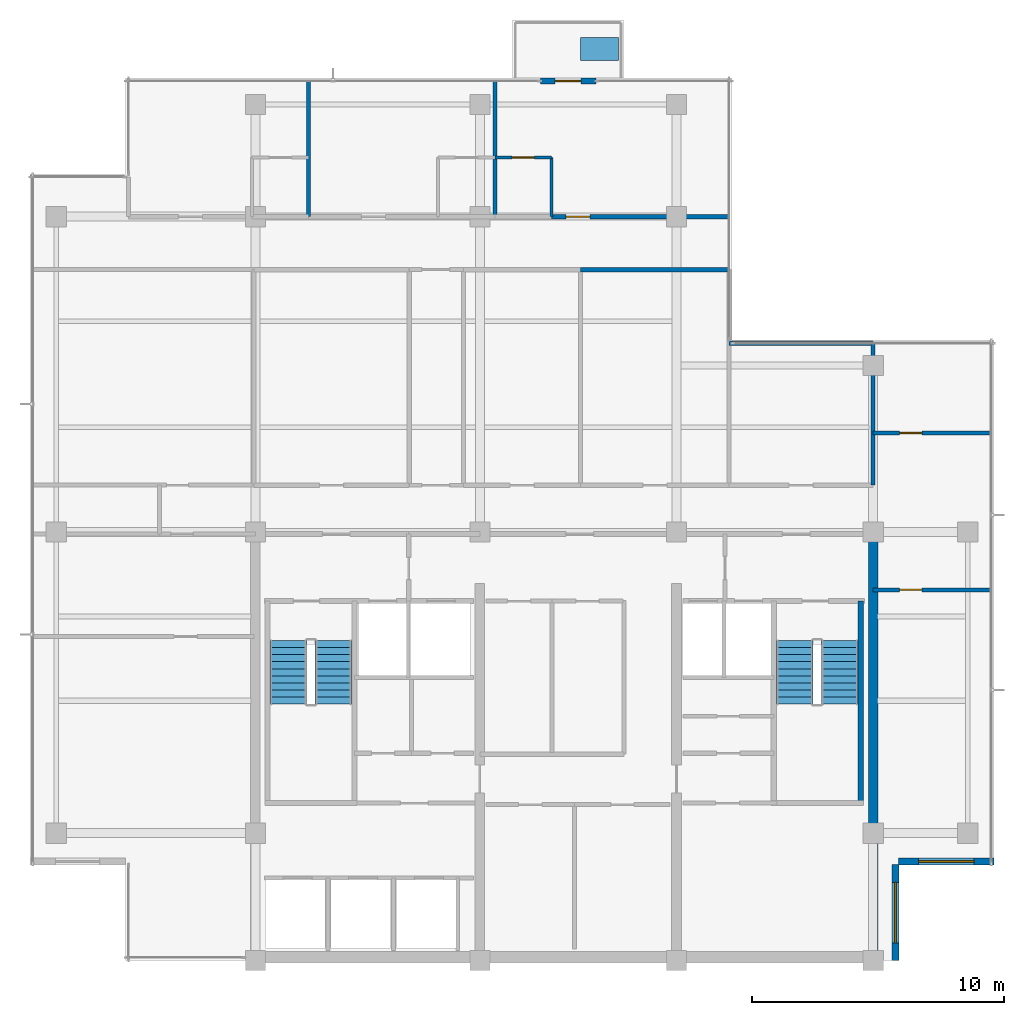
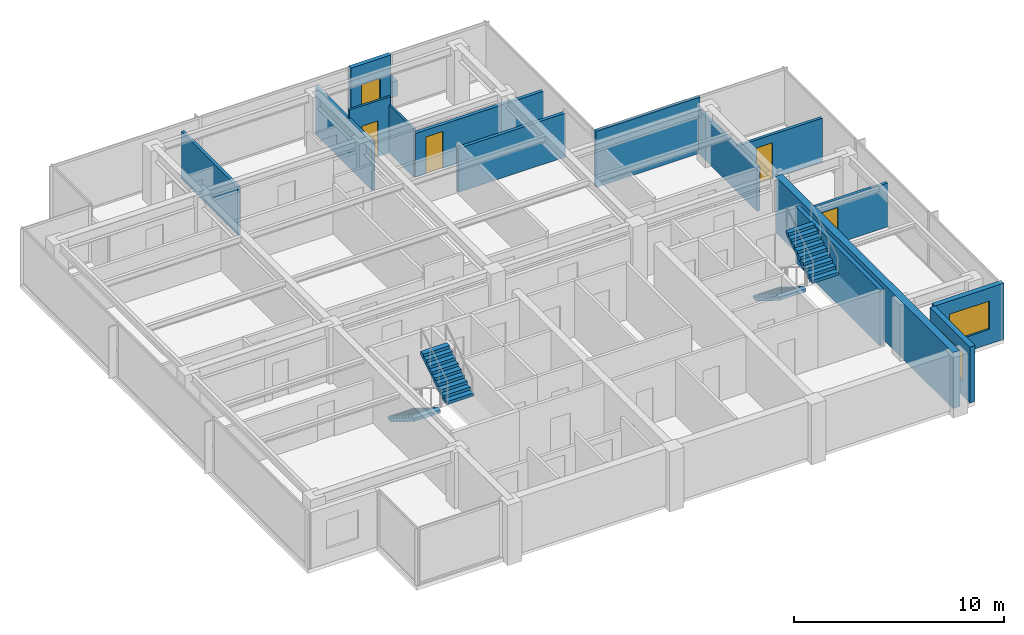
# One storey, part 8 of 11: 15 walls, 5 doors, 4 stair flights, 2 windows, 1 discrete accessory, 7 openings, 2 elements without a shape of their own.
"""IFC4 building model written with IfcOpenShell, lengths in metres."""

from ifc_helpers import new_model, si_unit, direction, frame, frame_2d, origin, place, context, subcontext, project, spatial, polyline, rectangle, outline, extrude, material, layer, layer_set, type_object, element, fill, aggregate, save


model = new_model("IFC4")

# Units and contexts
model_context = context("Model", 3, precision=1e-05, world=origin(), true_north=direction((0.0, 1.0)))
body_context = subcontext(model_context, "Body", "Model", "MODEL_VIEW")
ifc_project = project(units=[si_unit("LENGTHUNIT", "METRE"), si_unit("AREAUNIT", "SQUARE_METRE"), si_unit("VOLUMEUNIT", "CUBIC_METRE"), si_unit("PLANEANGLEUNIT", "RADIAN"), si_unit("MASSUNIT", "GRAM", prefix="KILO")], contexts=[model_context])

# Site, building, storey
site_placement = place(None, origin())
site = spatial("IfcSite", under=ifc_project, at=site_placement, CompositionType="ELEMENT")
building_placement = place(site_placement, origin())
building = spatial("IfcBuilding", under=site, at=building_placement, Name="Qalmaran Belvedere Hotel", CompositionType="ELEMENT")
storey_placement = place(building_placement, frame((0.0, 0.0, 270.39990234375)))
storey = spatial("IfcBuildingStorey", under=building, at=storey_placement, Name="L70", CompositionType="ELEMENT", Elevation=270.39990234375)

# Wall, opening, door
ifc_material_1 = material(Name="Anodised Bronze Cladding")
ifc_layer_1 = layer(ifc_material_1, 0.22509765625, Name="Anodised Bronze Cladding")
ifc_layer_set_1 = layer_set([ifc_layer_1], Name="Anodised Bronze Cladding")
wall_type_1 = type_object("IfcWallType", Name="WL-BAL-PORT-225", PredefinedType="SOLIDWALL", material=ifc_layer_set_1)
wall_1_placement = place(storey_placement, frame((31.60009765625, 38.3798828125, 0.0), z_axis=(0.0, 0.0, 1.0), x_axis=(1.0, 0.0, 0.0)))
wall_1 = element("IfcWall", 1, at=wall_1_placement, inside=storey, type_object=wall_type_1, Name="L70 Tree Balcony Door Portal", PredefinedType="SOLIDWALL", context=body_context, shape_type="SweptSolid", body=[
    extrude(rectangle(XDim=2.199951171875, YDim=0.22509765625, at=frame_2d((1.10009765625, 0.0))), origin(), (0.0, 0.0, 1.0), 3.260009765625),
])
opening_1_placement = place(wall_1_placement, frame((0.590087890625, 0.0, 0.0)))
opening_1 = element("IfcOpeningElement", 2, at=opening_1_placement, cuts=wall_1, Name="Opening BL-102", PredefinedType="OPENING", context=body_context, shape_type="SweptSolid", body=[
    extrude(rectangle(XDim=1.02001953125, YDim=2.10009765625, at=frame_2d((0.510009765625, 1.050048828125))), frame((0.0, 0.12255859375, 0.0), z_axis=(0.0, -1.0, 0.0), x_axis=(1.0, 0.0, 0.0)), (0.0, 0.0, 1.0), 0.2451171875),
])
ifc_material_2 = material(Name="Anodised Bronze Aluminium", Category="aluminium")
door_type_1 = type_object("IfcDoorType", Name="DR-BAL-1020X2100", OperationType="NOTDEFINED", PredefinedType="DOOR", material=ifc_material_2)
door_1_placement = place(opening_1_placement, origin())
door_1 = element("IfcDoor", 3, at=door_1_placement, inside=storey, type_object=door_type_1, Name="L70 Planted Tree Balcony Door", OperationType="SINGLE_SWING_LEFT", OverallHeight=2.10009765625, OverallWidth=1.02001953125, PredefinedType="DOOR", context=body_context, shape_type="SweptSolid", body=[
    extrude(rectangle(XDim=1.02001953125, YDim=2.10009765625, at=frame_2d((0.510009765625, 1.050048828125))), frame((0.0, 0.02490234375, 0.0), z_axis=(0.0, -1.0, 0.0), x_axis=(1.0, 0.0, 0.0)), (0.0, 0.0, 1.0), 0.050048828125),
])
fill(opening_1, door_1)

# Wall
ifc_material_3 = material(Name="Concrete C50/60", Category="concrete")
ifc_layer_2 = layer(ifc_material_3, 0.3798828125, Name="Concrete C50/60")
ifc_layer_set_2 = layer_set([ifc_layer_2], Name="Concrete C50/60")
wall_type_2 = type_object("IfcWallType", Name="WL-CORE-380-C50", PredefinedType="SHEAR", material=ifc_layer_set_2)
wall_2_placement = place(storey_placement, frame((44.800048828125, 3.5, 0.0), z_axis=(0.0, 0.0, 1.0), x_axis=(0.0, 1.0, 0.0)))
element("IfcWall", 4, at=wall_2_placement, inside=storey, type_object=wall_type_2, Name="L70 East Core Shear Wall", PredefinedType="SHEAR", context=body_context, shape_type="SweptSolid", body=[
    extrude(rectangle(XDim=16.89990234375, YDim=0.3798828125, at=frame_2d((8.449951171875, 0.0))), origin(), (0.0, 0.0, 1.0), 3.260009765625),
])

# Wall, opening, window
ifc_layer_3 = layer(ifc_material_1, 0.280029296875, Name="Anodised Bronze Cladding")
ifc_layer_set_3 = layer_set([ifc_layer_3], Name="Anodised Bronze Cladding")
wall_type_3 = type_object("IfcWallType", Name="WL-EXT-BRNZ-280", PredefinedType="SOLIDWALL", material=ifc_layer_set_3)
wall_3_placement = place(storey_placement, frame((45.679931640625, 3.5, 0.0), z_axis=(0.0, 0.0, 1.0), x_axis=(0.0, 1.0, 0.0)))
wall_3 = element("IfcWall", 5, at=wall_3_placement, inside=storey, type_object=wall_type_3, Name="L70 Corner Notch Wall 1", PredefinedType="SOLIDWALL", context=body_context, shape_type="SweptSolid", body=[
    extrude(rectangle(XDim=3.800048828125, YDim=0.280029296875, at=frame_2d((1.89990234375, 0.0))), origin(), (0.0, 0.0, 1.0), 3.260009765625),
])
opening_2_placement = place(wall_3_placement, frame((0.699951171875, 0.0, 0.85009765625)))
opening_2 = element("IfcOpeningElement", 6, at=opening_2_placement, cuts=wall_3, Name="Opening W-N24", PredefinedType="OPENING", context=body_context, shape_type="SweptSolid", body=[
    extrude(rectangle(XDim=2.39990234375, YDim=1.64990234375, at=frame_2d((1.199951171875, 0.824951171875))), frame((0.0, 0.14990234375, 0.0), z_axis=(0.0, -1.0, 0.0), x_axis=(1.0, 0.0, 0.0)), (0.0, 0.0, 1.0), 0.300048828125),
])
ifc_material_4 = material(Name="Solar-Control Double Glazing", Category="glass")
window_type_1 = type_object("IfcWindowType", Name="WN-NTC-2400X1650", PartitioningType="SINGLE_PANEL", PredefinedType="WINDOW", material=ifc_material_4)
window_1_placement = place(opening_2_placement, origin())
window_1 = element("IfcWindow", 7, at=window_1_placement, inside=storey, type_object=window_type_1, Name="L70 Corner Notch Window 1", OverallHeight=1.64990234375, OverallWidth=2.39990234375, PartitioningType="SINGLE_PANEL", PredefinedType="WINDOW", context=body_context, shape_type="SweptSolid", body=[
    extrude(rectangle(XDim=2.39990234375, YDim=1.64990234375, at=frame_2d((1.199951171875, 0.824951171875))), frame((0.0, 0.030029296875, 0.0), z_axis=(0.0, -1.0, 0.0), x_axis=(1.0, 0.0, 0.0)), (0.0, 0.0, 1.0), 0.06005859375),
])
fill(opening_2, window_1)

wall_4_placement = place(storey_placement, frame((45.800048828125, 7.419921875, 0.0), z_axis=(0.0, 0.0, 1.0), x_axis=(1.0, 0.0, 0.0)))
wall_4 = element("IfcWall", 8, at=wall_4_placement, inside=storey, type_object=wall_type_3, Name="L70 Corner Notch Wall 2", PredefinedType="SOLIDWALL", context=body_context, shape_type="SweptSolid", body=[
    extrude(rectangle(XDim=3.800048828125, YDim=0.280029296875, at=frame_2d((1.89990234375, 0.0))), origin(), (0.0, 0.0, 1.0), 3.260009765625),
])
opening_3_placement = place(wall_4_placement, frame((0.800048828125, 0.0, 0.85009765625)))
opening_3 = element("IfcOpeningElement", 9, at=opening_3_placement, cuts=wall_4, Name="Opening W-N22", PredefinedType="OPENING", context=body_context, shape_type="SweptSolid", body=[
    extrude(rectangle(XDim=2.199951171875, YDim=1.64990234375, at=frame_2d((1.10009765625, 0.824951171875))), frame((0.0, 0.14990234375, 0.0), z_axis=(0.0, -1.0, 0.0), x_axis=(1.0, 0.0, 0.0)), (0.0, 0.0, 1.0), 0.300048828125),
])
window_type_2 = type_object("IfcWindowType", Name="WN-NTC-2200X1650", PartitioningType="SINGLE_PANEL", PredefinedType="WINDOW", material=ifc_material_4)
window_2_placement = place(opening_3_placement, origin())
window_2 = element("IfcWindow", 10, at=window_2_placement, inside=storey, type_object=window_type_2, Name="L70 Corner Notch Window 2", OverallHeight=1.64990234375, OverallWidth=2.199951171875, PartitioningType="SINGLE_PANEL", PredefinedType="WINDOW", context=body_context, shape_type="SweptSolid", body=[
    extrude(rectangle(XDim=2.199951171875, YDim=1.64990234375, at=frame_2d((1.10009765625, 0.824951171875))), frame((0.0, 0.030029296875, 0.0), z_axis=(0.0, -1.0, 0.0), x_axis=(1.0, 0.0, 0.0)), (0.0, 0.0, 1.0), 0.06005859375),
])
fill(opening_3, window_2)

# Wall, opening, door
ifc_material_5 = material(Name="Moisture-Resistant Gypsum")
ifc_layer_4 = layer(ifc_material_5, 0.1201171875, Name="Moisture-Resistant Gypsum")
ifc_layer_set_4 = layer_set([ifc_layer_4], Name="Moisture-Resistant Gypsum")
wall_type_4 = type_object("IfcWallType", Name="WL-INT-120-BATH", PredefinedType="PARTITIONING", material=ifc_layer_set_4)
wall_5_placement = place(storey_placement, frame((29.794189453125, 35.35009765625, 0.0), z_axis=(0.0, 0.0, 1.0), x_axis=(1.0, 0.0, 0.0)))
wall_5 = element("IfcWall", 11, at=wall_5_placement, inside=storey, type_object=wall_type_4, Name="L70 Partition WL-L70-NBN02", PredefinedType="PARTITIONING", context=body_context, shape_type="SweptSolid", body=[
    extrude(rectangle(XDim=2.25, YDim=0.1201171875, at=frame_2d((1.125, 0.0))), origin(), (0.0, 0.0, 1.0), 3.260009765625),
])
opening_4_placement = place(wall_5_placement, frame((1.56494140625, 0.0, 0.0), z_axis=(0.0, 0.0, 1.0), x_axis=(-1.0, 0.0, 0.0)))
opening_4 = element("IfcOpeningElement", 12, at=opening_4_placement, cuts=wall_5, Name="Opening D-BATH", PredefinedType="OPENING", context=body_context, shape_type="SweptSolid", body=[
    extrude(rectangle(XDim=0.8798828125, YDim=2.080078125, at=frame_2d((0.43994140625, 1.0400390625))), frame((0.0, 0.070068359375, 0.0), z_axis=(0.0, -1.0, 0.0), x_axis=(1.0, 0.0, 0.0)), (0.0, 0.0, 1.0), 0.14013671875),
])
ifc_material_6 = material(Name="Engineered Oak Veneer")
door_type_2 = type_object("IfcDoorType", Name="DR-INT-BATH-880X2080", OperationType="NOTDEFINED", PredefinedType="DOOR", material=ifc_material_6)
door_2_placement = place(opening_4_placement, origin())
door_2 = element("IfcDoor", 13, at=door_2_placement, inside=storey, type_object=door_type_2, Name="L70 Ensuite Bathroom Door N03", OperationType="SINGLE_SWING_RIGHT", OverallHeight=2.080078125, OverallWidth=0.8798828125, PredefinedType="DOOR", context=body_context, shape_type="SweptSolid", body=[
    extrude(rectangle(XDim=0.8798828125, YDim=2.080078125, at=frame_2d((0.43994140625, 1.0400390625))), frame((0.0, 0.02490234375, 0.0), z_axis=(0.0, -1.0, 0.0), x_axis=(1.0, 0.0, 0.0)), (0.0, 0.0, 1.0), 0.050048828125),
])
fill(opening_4, door_2)

# Wall
wall_6_placement = place(storey_placement, frame((32.044189453125, 33.0, 0.0), z_axis=(0.0, 0.0, 1.0), x_axis=(0.0, 1.0, 0.0)))
element("IfcWall", 14, at=wall_6_placement, inside=storey, type_object=wall_type_4, Name="L70 Partition WL-L70-NBS02", PredefinedType="PARTITIONING", context=body_context, shape_type="SweptSolid", body=[
    extrude(rectangle(XDim=2.35009765625, YDim=0.1201171875, at=frame_2d((1.175048828125, 0.0))), origin(), (0.0, 0.0, 1.0), 2.781982421875),
])

# Wall, opening, door
ifc_material_7 = material(Name="Gypsum Stud Partition")
ifc_layer_5 = layer(ifc_material_7, 0.159912109375, Name="Gypsum Stud Partition")
ifc_layer_set_5 = layer_set([ifc_layer_5], Name="Gypsum Stud Partition")
wall_type_5 = type_object("IfcWallType", Name="WL-INT-160-EI60", PredefinedType="PARTITIONING", material=ifc_layer_set_5)
wall_7_placement = place(storey_placement, frame((44.800048828125, 18.199951171875, 0.0), z_axis=(0.0, 0.0, 1.0), x_axis=(1.0, 0.0, 0.0)))
wall_7 = element("IfcWall", 15, at=wall_7_placement, inside=storey, type_object=wall_type_5, Name="L70 Partition WL-L70-C4EES", PredefinedType="PARTITIONING", context=body_context, shape_type="SweptSolid", body=[
    extrude(rectangle(XDim=4.679931640625, YDim=0.159912109375, at=frame_2d((2.33984375, 0.0))), origin(), (0.0, 0.0, 1.0), 2.550048828125),
])
opening_5_placement = place(wall_7_placement, frame((1.929931640625, 0.0, 0.0), z_axis=(0.0, 0.0, 1.0), x_axis=(-1.0, 0.0, 0.0)))
opening_5 = element("IfcOpeningElement", 16, at=opening_5_placement, cuts=wall_7, Name="Opening FD60B", PredefinedType="OPENING", context=body_context, shape_type="SweptSolid", body=[
    extrude(rectangle(XDim=0.8798828125, YDim=2.080078125, at=frame_2d((0.43994140625, 1.0400390625))), frame((0.0, 0.08984375, 0.0), z_axis=(0.0, -1.0, 0.0), x_axis=(1.0, 0.0, 0.0)), (0.0, 0.0, 1.0), 0.179931640625),
])
ifc_material_8 = material(Name="Steel S355JR", Category="steel")
door_type_3 = type_object("IfcDoorType", Name="DR-FD60B-880X2080", OperationType="NOTDEFINED", PredefinedType="DOOR", material=ifc_material_8)
door_3_placement = place(opening_5_placement, origin())
door_3 = element("IfcDoor", 17, at=door_3_placement, inside=storey, type_object=door_type_3, Name="L70 East Reading Door", OperationType="SINGLE_SWING_RIGHT", OverallHeight=2.080078125, OverallWidth=0.8798828125, PredefinedType="DOOR", context=body_context, shape_type="SweptSolid", body=[
    extrude(rectangle(XDim=0.8798828125, YDim=2.080078125, at=frame_2d((0.43994140625, 1.0400390625))), frame((0.0, 0.02490234375, 0.0), z_axis=(0.0, -1.0, 0.0), x_axis=(1.0, 0.0, 0.0)), (0.0, 0.0, 1.0), 0.050048828125),
])
fill(opening_5, door_3)

wall_8_placement = place(storey_placement, frame((44.800048828125, 24.419921875, 0.0), z_axis=(0.0, 0.0, 1.0), x_axis=(1.0, 0.0, 0.0)))
wall_8 = element("IfcWall", 18, at=wall_8_placement, inside=storey, type_object=wall_type_5, Name="L70 Partition WL-L70-C4EEN", PredefinedType="PARTITIONING", context=body_context, shape_type="SweptSolid", body=[
    extrude(rectangle(XDim=4.679931640625, YDim=0.159912109375, at=frame_2d((2.33984375, 0.0))), origin(), (0.0, 0.0, 1.0), 2.550048828125),
])
opening_6_placement = place(wall_8_placement, frame((1.050048828125, 0.0, 0.0)))
opening_6 = element("IfcOpeningElement", 19, at=opening_6_placement, cuts=wall_8, Name="Opening FD60B", PredefinedType="OPENING", context=body_context, shape_type="SweptSolid", body=[
    extrude(rectangle(XDim=0.8798828125, YDim=2.080078125, at=frame_2d((0.43994140625, 1.0400390625))), frame((0.0, 0.08984375, 0.0), z_axis=(0.0, -1.0, 0.0), x_axis=(1.0, 0.0, 0.0)), (0.0, 0.0, 1.0), 0.179931640625),
])
door_4_placement = place(opening_6_placement, origin())
door_4 = element("IfcDoor", 20, at=door_4_placement, inside=storey, type_object=door_type_3, Name="L70 East Study Door", OperationType="SINGLE_SWING_LEFT", OverallHeight=2.080078125, OverallWidth=0.8798828125, PredefinedType="DOOR", context=body_context, shape_type="SweptSolid", body=[
    extrude(rectangle(XDim=0.8798828125, YDim=2.080078125, at=frame_2d((0.43994140625, 1.0400390625))), frame((0.0, 0.02490234375, 0.0), z_axis=(0.0, -1.0, 0.0), x_axis=(1.0, 0.0, 0.0)), (0.0, 0.0, 1.0), 0.050048828125),
])
fill(opening_6, door_4)

# Walls
wall_9_placement = place(storey_placement, frame((44.800048828125, 22.35009765625, 0.0), z_axis=(0.0, 0.0, 1.0), x_axis=(0.0, 1.0, 0.0)))
element("IfcWall", 21, at=wall_9_placement, inside=storey, type_object=wall_type_5, Name="L70 Partition WL-L70-C4MFVR1", PredefinedType="PARTITIONING", context=body_context, shape_type="SweptSolid", body=[
    extrude(rectangle(XDim=5.6298828125, YDim=0.159912109375, at=frame_2d((2.81494140625, 0.0))), origin(), (0.0, 0.0, 1.0), 2.550048828125),
])
for number, where, z_axis, x_axis, name in (
    (22, (22.4130859375, 33.0, 0.0), (0.0, 0.0, 1.0), (0.0, 1.0, 0.0), "L70 Partition WL-L70-NUR00"),
    (23, (29.794189453125, 33.0, 0.0), (0.0, 0.0, 1.0), (0.0, 1.0, 0.0), "L70 Partition WL-L70-NUR01"),
):
    element("IfcWall", number, at=place(storey_placement, frame(where, z_axis=z_axis, x_axis=x_axis)), inside=storey, type_object=wall_type_5, Name=name, PredefinedType="PARTITIONING", context=body_context, shape_type="SweptSolid", body=[
        extrude(rectangle(XDim=5.3798828125, YDim=0.159912109375, at=frame_2d((2.68994140625, 0.0))), origin(), (0.0, 0.0, 1.0), 2.781982421875),
    ])
ifc_layer_6 = layer(ifc_material_7, 0.179931640625, Name="Gypsum Stud Partition")
ifc_layer_set_6 = layer_set([ifc_layer_6], Name="Gypsum Stud Partition")
wall_type_6 = type_object("IfcWallType", Name="WL-INT-180-EI60", PredefinedType="PARTITIONING", material=ifc_layer_set_6)
wall_10_placement = place(storey_placement, frame((33.199951171875, 30.89990234375, 0.0), z_axis=(0.0, 0.0, 1.0), x_axis=(1.0, 0.0, 0.0)))
element("IfcWall", 24, at=wall_10_placement, inside=storey, type_object=wall_type_6, Name="L70 Partition WL-L70-C4MEO2", PredefinedType="PARTITIONING", context=body_context, shape_type="SweptSolid", body=[
    extrude(rectangle(XDim=5.880126953125, YDim=0.179931640625, at=frame_2d((2.93994140625, 0.0))), origin(), (0.0, 0.0, 1.0), 2.550048828125),
])
wall_11_placement = place(storey_placement, frame((39.080078125, 27.97998046875, 0.0), z_axis=(0.0, 0.0, 1.0), x_axis=(1.0, 0.0, 0.0)))
element("IfcWall", 25, at=wall_11_placement, inside=storey, type_object=wall_type_6, Name="L70 Partition WL-L70-C4MFO1", PredefinedType="PARTITIONING", context=body_context, shape_type="SweptSolid", body=[
    extrude(rectangle(XDim=5.719970703125, YDim=0.179931640625, at=frame_2d((2.85986328125, 0.0))), origin(), (0.0, 0.0, 1.0), 3.260009765625),
])

# Wall, opening, door
wall_12_placement = place(storey_placement, frame((32.044189453125, 33.0, 0.0), z_axis=(0.0, 0.0, 1.0), x_axis=(1.0, 0.0, 0.0)))
wall_12 = element("IfcWall", 26, at=wall_12_placement, inside=storey, type_object=wall_type_6, Name="L70 Partition WL-L70-NEC02", PredefinedType="PARTITIONING", context=body_context, shape_type="SweptSolid", body=[
    extrude(rectangle(XDim=7.035888671875, YDim=0.179931640625, at=frame_2d((3.51806640625, 0.0))), origin(), (0.0, 0.0, 1.0), 2.550048828125),
])
opening_7_placement = place(wall_12_placement, frame((0.572998046875, 0.0, 0.0)))
opening_7 = element("IfcOpeningElement", 27, at=opening_7_placement, cuts=wall_12, Name="Opening FD60", PredefinedType="OPENING", context=body_context, shape_type="SweptSolid", body=[
    extrude(rectangle(XDim=0.949951171875, YDim=2.14990234375, at=frame_2d((0.47509765625, 1.074951171875))), frame((0.0, 0.10009765625, 0.0), z_axis=(0.0, -1.0, 0.0), x_axis=(1.0, 0.0, 0.0)), (0.0, 0.0, 1.0), 0.199951171875),
])
door_type_4 = type_object("IfcDoorType", Name="DR-FD60-950X2150", OperationType="NOTDEFINED", PredefinedType="DOOR", material=ifc_material_6)
door_5_placement = place(opening_7_placement, origin())
door_5 = element("IfcDoor", 28, at=door_5_placement, inside=storey, type_object=door_type_4, Name="L70 Guest Entrance Door N03", OperationType="SINGLE_SWING_LEFT", OverallHeight=2.14990234375, OverallWidth=0.949951171875, PredefinedType="DOOR", context=body_context, shape_type="SweptSolid", body=[
    extrude(rectangle(XDim=0.949951171875, YDim=2.14990234375, at=frame_2d((0.47509765625, 1.074951171875))), frame((0.0, 0.02490234375, 0.0), z_axis=(0.0, -1.0, 0.0), x_axis=(1.0, 0.0, 0.0)), (0.0, 0.0, 1.0), 0.050048828125),
])
fill(opening_7, door_5)

# Wall
ifc_layer_7 = layer(ifc_material_3, 0.2099609375, Name="Concrete C50/60")
ifc_layer_set_7 = layer_set([ifc_layer_7], Name="Concrete C50/60")
wall_type_7 = type_object("IfcWallType", Name="WL-STAIR-210-C50", PredefinedType="SHEAR", material=ifc_layer_set_7)
wall_13_placement = place(storey_placement, frame((44.304931640625, 9.7451171875, 0.0), z_axis=(0.0, 0.0, 1.0), x_axis=(0.0, 1.0, 0.0)))
element("IfcWall", 29, at=wall_13_placement, inside=storey, type_object=wall_type_7, Name="L70 Stair ST-2 East Bearing Wall", PredefinedType="SHEAR", context=body_context, shape_type="SweptSolid", body=[
    extrude(rectangle(XDim=8.009765625, YDim=0.2099609375, at=frame_2d((4.0048828125, 0.0))), origin(), (0.0, 0.0, 1.0), 3.260009765625),
])

# Stair, stair flights
ifc_material_9 = material(Name="Concrete C40/50", Category="concrete")
stair_type_1 = type_object("IfcStairType", Name="STR-ST-1-1450-R1750", PredefinedType="HALF_TURN_STAIR", material=ifc_material_9)
stair_1_placement = place(storey_placement, origin())
stair_1 = element("IfcStair", 30, at=stair_1_placement, inside=storey, type_object=stair_type_1, Name="L70 West Core Exit Stair ST-1", PredefinedType="HALF_TURN_STAIR")
ifc_layer_8 = layer(ifc_material_9, 0.14990234375, Name="Concrete C40/50")
ifc_layer_set_8 = layer_set([ifc_layer_8], Name="Concrete C40/50")
stair_flight_type_1 = type_object("IfcStairFlightType", Name="STF-ST-1-1450-R1750", PredefinedType="STRAIGHT", material=ifc_layer_set_8)
stair_flight_1_placement = place(storey_placement, frame((21.60498046875, 16.18994140625, 0.0), z_axis=(0.0, 0.0, 1.0), x_axis=(0.0, -1.0, 0.0)))
stair_flight_1 = element("IfcStairFlight", 31, at=stair_flight_1_placement, type_object=stair_flight_type_1, Name="ST-1 flight 1", NumberOfRisers=10, NumberOfTreads=9, PredefinedType="STRAIGHT", RiserHeight=0.175, TreadLength=0.28, context=body_context, shape_type="SweptSolid", body=[
    extrude(outline(polyline([(0.0, 0.0), (0.0, 0.175048828125), (0.280029296875, 0.175048828125), (0.280029296875, 0.35009765625), (0.56005859375, 0.35009765625), (0.56005859375, 0.52490234375), (0.840087890625, 0.52490234375), (0.840087890625, 0.699951171875), (1.1201171875, 0.699951171875), (1.1201171875, 0.875), (1.39990234375, 0.875), (1.39990234375, 1.050048828125), (1.679931640625, 1.050048828125), (1.679931640625, 1.22509765625), (1.9599609375, 1.22509765625), (1.9599609375, 1.39990234375), (2.239990234375, 1.39990234375), (2.239990234375, 1.574951171875), (2.52001953125, 1.574951171875), (2.52001953125, 1.75), (2.52001953125, 1.398193359375), (0.28271484375, 0.0), (0.0, 0.0)])), frame((0.0, 0.72509765625, 0.0), z_axis=(0.0, -1.0, 0.0), x_axis=(1.0, 0.0, 0.0)), (0.0, 0.0, 1.0), 1.449951171875),
])
stair_flight_2_placement = place(storey_placement, frame((23.39501953125, 13.669921875, 1.75), z_axis=(0.0, 0.0, 1.0), x_axis=(0.0, 1.0, 0.0)))
stair_flight_2 = element("IfcStairFlight", 32, at=stair_flight_2_placement, type_object=stair_flight_type_1, Name="ST-1 flight 2", NumberOfRisers=10, NumberOfTreads=9, PredefinedType="STRAIGHT", RiserHeight=0.175, TreadLength=0.28, context=body_context, shape_type="SweptSolid", body=[
    extrude(outline(polyline([(0.0, 0.0), (0.0, 0.175048828125), (0.280029296875, 0.175048828125), (0.280029296875, 0.35009765625), (0.56005859375, 0.35009765625), (0.56005859375, 0.52490234375), (0.840087890625, 0.52490234375), (0.840087890625, 0.699951171875), (1.1201171875, 0.699951171875), (1.1201171875, 0.875), (1.39990234375, 0.875), (1.39990234375, 1.050048828125), (1.679931640625, 1.050048828125), (1.679931640625, 1.22509765625), (1.9599609375, 1.22509765625), (1.9599609375, 1.39990234375), (2.239990234375, 1.39990234375), (2.239990234375, 1.574951171875), (2.52001953125, 1.574951171875), (2.52001953125, 1.75), (2.52001953125, 1.398193359375), (0.28271484375, 0.0), (0.0, 0.0)])), frame((0.0, 0.72509765625, 0.0), z_axis=(0.0, -1.0, 0.0), x_axis=(1.0, 0.0, 0.0)), (0.0, 0.0, 1.0), 1.449951171875),
])
aggregate(stair_1, [stair_flight_1, stair_flight_2])

stair_type_2 = type_object("IfcStairType", Name="STR-ST-2-1450-R1750", PredefinedType="HALF_TURN_STAIR", material=ifc_material_9)
stair_2_placement = place(storey_placement, origin())
stair_2 = element("IfcStair", 33, at=stair_2_placement, inside=storey, type_object=stair_type_2, Name="L70 East Core Exit Stair ST-2", PredefinedType="HALF_TURN_STAIR")
ifc_layer_9 = layer(ifc_material_9, 0.14990234375, Name="Concrete C40/50")
ifc_layer_set_9 = layer_set([ifc_layer_9], Name="Concrete C40/50")
stair_flight_type_2 = type_object("IfcStairFlightType", Name="STF-ST-2-1450-R1750", PredefinedType="STRAIGHT", material=ifc_layer_set_9)
stair_flight_3_placement = place(storey_placement, frame((41.68505859375, 16.18994140625, 0.0), z_axis=(0.0, 0.0, 1.0), x_axis=(0.0, -1.0, 0.0)))
stair_flight_3 = element("IfcStairFlight", 34, at=stair_flight_3_placement, type_object=stair_flight_type_2, Name="ST-2 flight 1", NumberOfRisers=10, NumberOfTreads=9, PredefinedType="STRAIGHT", RiserHeight=0.175, TreadLength=0.28, context=body_context, shape_type="SweptSolid", body=[
    extrude(outline(polyline([(0.0, 0.0), (0.0, 0.175048828125), (0.280029296875, 0.175048828125), (0.280029296875, 0.35009765625), (0.56005859375, 0.35009765625), (0.56005859375, 0.52490234375), (0.840087890625, 0.52490234375), (0.840087890625, 0.699951171875), (1.1201171875, 0.699951171875), (1.1201171875, 0.875), (1.39990234375, 0.875), (1.39990234375, 1.050048828125), (1.679931640625, 1.050048828125), (1.679931640625, 1.22509765625), (1.9599609375, 1.22509765625), (1.9599609375, 1.39990234375), (2.239990234375, 1.39990234375), (2.239990234375, 1.574951171875), (2.52001953125, 1.574951171875), (2.52001953125, 1.75), (2.52001953125, 1.398193359375), (0.28271484375, 0.0), (0.0, 0.0)])), frame((0.0, 0.72509765625, 0.0), z_axis=(0.0, -1.0, 0.0), x_axis=(1.0, 0.0, 0.0)), (0.0, 0.0, 1.0), 1.449951171875),
])
stair_flight_4_placement = place(storey_placement, frame((43.47509765625, 13.669921875, 1.75), z_axis=(0.0, 0.0, 1.0), x_axis=(0.0, 1.0, 0.0)))
stair_flight_4 = element("IfcStairFlight", 35, at=stair_flight_4_placement, type_object=stair_flight_type_2, Name="ST-2 flight 2", NumberOfRisers=10, NumberOfTreads=9, PredefinedType="STRAIGHT", RiserHeight=0.175, TreadLength=0.28, context=body_context, shape_type="SweptSolid", body=[
    extrude(outline(polyline([(0.0, 0.0), (0.0, 0.175048828125), (0.280029296875, 0.175048828125), (0.280029296875, 0.35009765625), (0.56005859375, 0.35009765625), (0.56005859375, 0.52490234375), (0.840087890625, 0.52490234375), (0.840087890625, 0.699951171875), (1.1201171875, 0.699951171875), (1.1201171875, 0.875), (1.39990234375, 0.875), (1.39990234375, 1.050048828125), (1.679931640625, 1.050048828125), (1.679931640625, 1.22509765625), (1.9599609375, 1.22509765625), (1.9599609375, 1.39990234375), (2.239990234375, 1.39990234375), (2.239990234375, 1.574951171875), (2.52001953125, 1.574951171875), (2.52001953125, 1.75), (2.52001953125, 1.398193359375), (0.28271484375, 0.0), (0.0, 0.0)])), frame((0.0, 0.72509765625, 0.0), z_axis=(0.0, -1.0, 0.0), x_axis=(1.0, 0.0, 0.0)), (0.0, 0.0, 1.0), 1.449951171875),
])
aggregate(stair_2, [stair_flight_3, stair_flight_4])

# Discrete accessory
discrete_accessory_type = type_object("IfcDiscreteAccessoryType", Name="PLN-BAL-1500", PredefinedType="USERDEFINED", material=ifc_material_9)
discrete_accessory_placement = place(storey_placement, origin())
element("IfcDiscreteAccessory", 36, at=discrete_accessory_placement, inside=storey, type_object=discrete_accessory_type, Name="L70 Sky Tree Planter", ObjectType="PLANTER", PredefinedType="USERDEFINED", context=body_context, shape_type="SweptSolid", body=[
    extrude(outline(polyline([(33.199951171875, 39.199951171875), (34.699951171875, 39.199951171875), (34.699951171875, 40.10009765625), (33.199951171875, 40.10009765625), (33.199951171875, 39.199951171875)])), origin(), (0.0, 0.0, 1.0), 0.900146484375),
])

save(model, "model.ifc")
